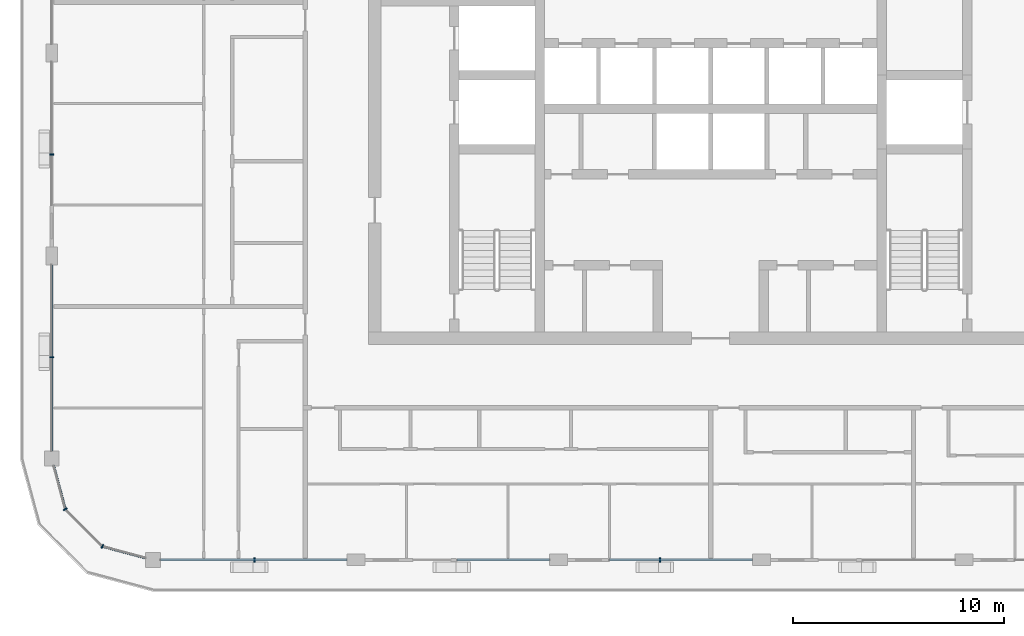
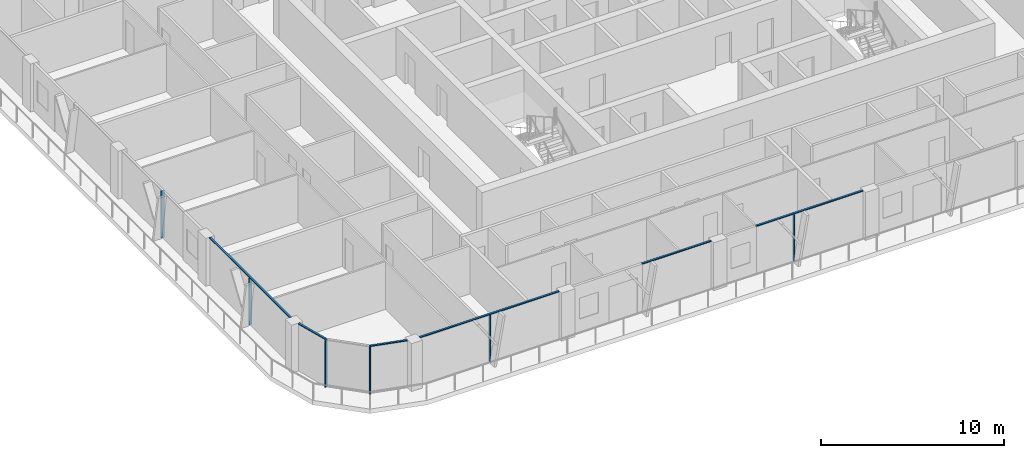
# One storey, part 2 of 21: 12 members, 6 elements without a shape of their own.
"""IFC4 building model written with IfcOpenShell, lengths in metres."""

import ifcopenshell
import ifcopenshell.guid

model = None  # the IFC model being written
_history = None  # IfcOwnerHistory: only IFC2X3 demands one
_inside = {}  # id of a spatial element -> (the spatial element, [elements in it])
_under = {}  # id of a project, library or spatial element -> (it, [spatial elements below it])
_declared = {}  # id of a project -> (the project, [libraries it declares])
_typed = {}  # id of a type object -> (the type object, [elements of that type])
_made_of = {}  # id of a material, layer set ... -> (it, [elements and type objects made of it])


def new_model(schema):
    """Start an empty IFC model of exactly this schema.

    Asked for "IFC4X3", IfcOpenShell would pick the latest addendum, in which some entities
    have other attributes; the version numbers below select the first issue.
    IFC2X3 requires an IfcOwnerHistory on every rooted entity: one is made here for all.
    """
    global model, _history
    if schema == "IFC4X3":
        model = ifcopenshell.file(schema_version=(4, 3, 0, 0))
    else:
        model = ifcopenshell.file(schema=schema)
    _inside.clear()
    _under.clear()
    _declared.clear()
    _typed.clear()
    _made_of.clear()
    _history = None
    if model.schema == "IFC2X3":
        org = make("IfcOrganization", Name="unknown")
        user = make(
            "IfcPersonAndOrganization",
            ThePerson=make("IfcPerson", FamilyName="unknown"),
            TheOrganization=org,
        )
        app = make(
            "IfcApplication",
            ApplicationDeveloper=org,
            Version="unknown",
            ApplicationFullName="unknown",
            ApplicationIdentifier="unknown",
        )
        _history = make(
            "IfcOwnerHistory",
            OwningUser=user,
            OwningApplication=app,
            ChangeAction="ADDED",
            CreationDate=0,
        )
    return model


def make(cls, **values):
    """One entity of the class cls with the attributes given. An attribute that is None is left unset."""
    return model.create_entity(
        cls, **{name: value for name, value in values.items() if value is not None}
    )


def rooted(cls, **values):
    """An entity with a GlobalId (a new one), such as an element, a storey or a relation."""
    return make(cls, GlobalId=ifcopenshell.guid.new(), OwnerHistory=_history, **values)


def si_unit(unit_type, name, prefix=None):
    """IfcSIUnit, for example si_unit("LENGTHUNIT", "METRE", prefix="MILLI")."""
    return make("IfcSIUnit", UnitType=unit_type, Prefix=prefix, Name=name)


def assignment(units):
    """IfcUnitAssignment: the units of a project."""
    return None if units is None else make("IfcUnitAssignment", Units=units)


def point(xyz):
    """IfcCartesianPoint."""
    return None if xyz is None else make("IfcCartesianPoint", Coordinates=xyz)


def direction(xyz):
    """IfcDirection."""
    return None if xyz is None else make("IfcDirection", DirectionRatios=xyz)


def frame(location, z_axis=None, x_axis=None):
    """IfcAxis2Placement3D, a coordinate frame: its origin and axes. An axis left out is left unset."""
    return make(
        "IfcAxis2Placement3D",
        Location=point(location),
        Axis=direction(z_axis),
        RefDirection=direction(x_axis),
    )


def frame_2d(location, x_axis=None):
    """IfcAxis2Placement2D, a coordinate frame in the plane: its origin and x axis."""
    return make(
        "IfcAxis2Placement2D", Location=point(location), RefDirection=direction(x_axis)
    )


def origin():
    """The frame at (0, 0, 0) with its axes left unset."""
    return frame((0.0, 0.0, 0.0))


def origin_2d():
    """The frame at (0, 0) in the plane with its x axis left unset."""
    return frame_2d((0.0, 0.0))


def place(relative_to, where):
    """IfcLocalPlacement: puts the frame where relative to a parent placement (None: the world)."""
    return make(
        "IfcLocalPlacement", PlacementRelTo=relative_to, RelativePlacement=where
    )


def context(
    kind, dimensions, precision=None, world=None, true_north=None, identifier=None
):
    """IfcGeometricRepresentationContext, for example the 3D "Model" context."""
    return make(
        "IfcGeometricRepresentationContext",
        ContextIdentifier=identifier,
        ContextType=kind,
        CoordinateSpaceDimension=dimensions,
        Precision=precision,
        WorldCoordinateSystem=world,
        TrueNorth=true_north,
    )


def subcontext(parent, identifier, kind, view, scale=None):
    """IfcGeometricRepresentationSubContext, for example "Body" below "Model"."""
    return make(
        "IfcGeometricRepresentationSubContext",
        ContextIdentifier=identifier,
        ContextType=kind,
        ParentContext=parent,
        TargetScale=scale,
        TargetView=view,
    )


def project(units=None, contexts=None):
    """IfcProject with its units and contexts."""
    return rooted(
        "IfcProject",
        Name="project",
        RepresentationContexts=contexts,
        UnitsInContext=assignment(units),
    )


def spatial(cls, under=None, at=None, **own):
    """A site, building, storey or space (cls), placed at a placement, below another one or the project."""
    s = rooted(cls, ObjectPlacement=at, **own)
    if under is not None:
        _under.setdefault(under.id(), (under, []))[1].append(s)
    return s


def profile(cls, at=None, kind="AREA", **sizes):
    """A parametric profile (cls). Its sizes go by their IFC names, for example OverallWidth=200.0."""
    return make(cls, ProfileType=kind, Position=at, **sizes)


def rectangle(**sizes):
    """IfcRectangleProfileDef."""
    return profile("IfcRectangleProfileDef", **sizes)


def extrude(swept, where, along, depth):
    """IfcExtrudedAreaSolid: the profile swept, set in the frame where, extruded along a direction by depth."""
    return make(
        "IfcExtrudedAreaSolid",
        SweptArea=swept,
        Position=where,
        ExtrudedDirection=direction(along),
        Depth=depth,
    )


def shape(context_of_items, identifier, shape_type, items):
    """IfcShapeRepresentation: the items that make up one representation, for example the "Body"."""
    return make(
        "IfcShapeRepresentation",
        ContextOfItems=context_of_items,
        RepresentationIdentifier=identifier,
        RepresentationType=shape_type,
        Items=items,
    )


def material(Name=None, Category=None):
    """IfcMaterial."""
    return make("IfcMaterial", Name=Name, Category=Category)


def layer(
    of_material, thickness, ventilated=None, Name=None, Category=None, Priority=None
):
    """IfcMaterialLayer: one layer of a wall or slab, of a material (None: an air gap)."""
    return make(
        "IfcMaterialLayer",
        Material=of_material,
        LayerThickness=thickness,
        IsVentilated=ventilated,
        Name=Name,
        Category=Category,
        Priority=Priority,
    )


def layer_set(layers, Name=None):
    """IfcMaterialLayerSet."""
    return make("IfcMaterialLayerSet", MaterialLayers=layers, LayerSetName=Name)


def material_profile(
    of_material, cross_section, Name=None, Category=None, Priority=None
):
    """IfcMaterialProfile: a cross section and its material."""
    return make(
        "IfcMaterialProfile",
        Name=Name,
        Material=of_material,
        Profile=cross_section,
        Priority=Priority,
        Category=Category,
    )


def profile_set(profiles, Name=None, composite=None):
    """IfcMaterialProfileSet."""
    return make(
        "IfcMaterialProfileSet",
        Name=Name,
        MaterialProfiles=profiles,
        CompositeProfile=composite,
    )


def made_of(thing, what):
    """Note that an element or type object is made of a material, layer set ...; save() writes the relation."""
    if what is not None:
        _made_of.setdefault(what.id(), (what, []))[1].append(thing)
    return thing


def type_object(cls, material=None, **own):
    """A type object (cls), such as IfcWallType, which elements share."""
    return made_of(rooted(cls, **own), material)


def element(
    cls,
    number,
    at=None,
    inside=None,
    cuts=None,
    type_object=None,
    material=None,
    context=None,
    identifier="Body",
    shape_type=None,
    held_by="IfcProductDefinitionShape",
    body=None,
    shapes=None,
    **own,
):
    """One element of the class cls, such as IfcWall. Its Tag is "e" and its number.

    at: its placement. inside: the storey or other place that contains it. cuts: it is an
    opening in that element (IfcRelVoidsElement). A single representation is given by context,
    identifier, shape_type and body (its items); several are given by shapes. held_by: the class
    of the entity that holds the representations. save() writes the other relations.
    """
    e = rooted(cls, Tag="e%d" % number, ObjectPlacement=at, **own)
    if body is not None:
        shapes = [shape(context, identifier, shape_type, body)]
    if shapes is not None:
        e.Representation = make(held_by, Representations=shapes)
    if inside is not None:
        _inside.setdefault(inside.id(), (inside, []))[1].append(e)
    if cuts is not None:
        rooted(
            "IfcRelVoidsElement", RelatingBuildingElement=cuts, RelatedOpeningElement=e
        )
    if type_object is not None:
        _typed.setdefault(type_object.id(), (type_object, []))[1].append(e)
    return made_of(e, material)


def aggregate(whole, parts):
    """IfcRelAggregates: a whole, such as a stair, and the parts it consists of."""
    return rooted("IfcRelAggregates", RelatingObject=whole, RelatedObjects=parts)


def save(model, path):
    """Write the relations noted so far, then the file.

    IfcRelAggregates (storeys below a building ...), IfcRelContainedInSpatialStructure (elements
    in a storey), IfcRelDefinesByType, IfcRelAssociatesMaterial and IfcRelDeclares: one each for
    every whole, place, type object, material and project.
    """
    for whole, parts in _under.values():
        aggregate(whole, parts)
    for where, things in _inside.values():
        rooted(
            "IfcRelContainedInSpatialStructure",
            RelatedElements=things,
            RelatingStructure=where,
        )
    for kind, things in _typed.values():
        rooted("IfcRelDefinesByType", RelatedObjects=things, RelatingType=kind)
    for what, things in _made_of.values():
        rooted("IfcRelAssociatesMaterial", RelatedObjects=things, RelatingMaterial=what)
    for by, libraries in _declared.values():
        rooted("IfcRelDeclares", RelatingContext=by, RelatedDefinitions=libraries)
    model.write(path)


model = new_model("IFC4")

# Units and contexts
model_context = context("Model", 3, precision=1e-05, world=origin(), true_north=direction((0.0, 1.0)))
body_context = subcontext(model_context, "Body", "Model", "MODEL_VIEW")
ifc_project = project(units=[si_unit("LENGTHUNIT", "METRE"), si_unit("AREAUNIT", "SQUARE_METRE"), si_unit("VOLUMEUNIT", "CUBIC_METRE"), si_unit("PLANEANGLEUNIT", "RADIAN"), si_unit("MASSUNIT", "GRAM", prefix="KILO")], contexts=[model_context])

# Site, building, storey
site_placement = place(None, origin())
site = spatial("IfcSite", under=ifc_project, at=site_placement, CompositionType="ELEMENT")
building_placement = place(site_placement, origin())
building = spatial("IfcBuilding", under=site, at=building_placement, Name="Madar Terraces", CompositionType="ELEMENT")
storey_placement = place(building_placement, frame((0.0, 0.0, 245.699951171875)))
storey = spatial("IfcBuildingStorey", under=building, at=storey_placement, Name="L64", CompositionType="ELEMENT", Elevation=245.699951171875)

# Curtain wall, member
ifc_material_1 = material(Name="Glass, ceramic frit dark grey, with black aluminium frame", Category="aluminium")
ifc_layer = layer(ifc_material_1, 0.199951171875)
ifc_layer_set = layer_set([ifc_layer], Name="Facade curtain wall, fritted glass")
curtain_wall_type = type_object("IfcCurtainWallType", Name="Facade curtain wall, fritted glass", PredefinedType="NOTDEFINED", material=ifc_layer_set)
curtain_wall_1_placement = place(storey_placement, origin())
curtain_wall_1 = element("IfcCurtainWall", 1, at=curtain_wall_1_placement, inside=storey, type_object=curtain_wall_type, Name="Outer skin curtain wall south bay 1", PredefinedType="NOTDEFINED")
ifc_material_2 = material(Name="Aluminium, black anodised", Category="aluminium")
ifc_material_profile_1 = material_profile(ifc_material_2, rectangle(XDim=0.199951171875, YDim=0.06005859375, at=origin_2d()), Name="Facade mullion 60x200")
ifc_profile_set_1 = profile_set([ifc_material_profile_1], Name="Aluminium, black anodised")
member_type_1 = type_object("IfcMemberType", Name="Facade mullion 60x200", PredefinedType="MULLION", material=ifc_profile_set_1)
member_1_placement = place(storey_placement, frame((9.60009765625, 4.800048828125, 0.0), z_axis=(0.0, 0.0, 1.0), x_axis=(0.0, 1.0, 0.0)))
member_1 = element("IfcMember", 2, at=member_1_placement, type_object=member_type_1, Name="Mullion 1", PredefinedType="MULLION", context=body_context, shape_type="SweptSolid", body=[
    extrude(rectangle(XDim=0.199951171875, YDim=0.06005859375, at=origin_2d()), origin(), (0.0, 0.0, 1.0), 3.14013671875),
])

curtain_wall_2_placement = place(storey_placement, origin())
curtain_wall_2 = element("IfcCurtainWall", 3, at=curtain_wall_2_placement, inside=storey, type_object=curtain_wall_type, Name="Outer skin curtain wall south bay 3", PredefinedType="NOTDEFINED")
member_2_placement = place(storey_placement, frame((28.800048828125, 4.800048828125, 0.0), z_axis=(0.0, 0.0, 1.0), x_axis=(0.0, 1.0, 0.0)))
member_2 = element("IfcMember", 4, at=member_2_placement, type_object=member_type_1, Name="Mullion 1", PredefinedType="MULLION", context=body_context, shape_type="SweptSolid", body=[
    extrude(rectangle(XDim=0.199951171875, YDim=0.06005859375, at=origin_2d()), origin(), (0.0, 0.0, 1.0), 3.14013671875),
])

curtain_wall_3_placement = place(storey_placement, origin())
curtain_wall_3 = element("IfcCurtainWall", 5, at=curtain_wall_3_placement, inside=storey, type_object=curtain_wall_type, Name="Outer skin curtain wall west bay 3", PredefinedType="NOTDEFINED")
member_3_placement = place(storey_placement, frame((0.0, 24.0, 0.0), z_axis=(0.0, 0.0, 1.0), x_axis=(1.0, 0.0, 0.0)))
member_3 = element("IfcMember", 6, at=member_3_placement, type_object=member_type_1, Name="Mullion 1", PredefinedType="MULLION", context=body_context, shape_type="SweptSolid", body=[
    extrude(rectangle(XDim=0.199951171875, YDim=0.06005859375, at=origin_2d()), origin(), (0.0, 0.0, 1.0), 3.14013671875),
])
aggregate(curtain_wall_3, [member_3])

curtain_wall_4_placement = place(storey_placement, origin())
curtain_wall_4 = element("IfcCurtainWall", 7, at=curtain_wall_4_placement, inside=storey, type_object=curtain_wall_type, Name="Outer skin curtain wall west bay 4", PredefinedType="NOTDEFINED")
member_4_placement = place(storey_placement, frame((0.0, 14.39990234375, 0.0), z_axis=(0.0, 0.0, 1.0), x_axis=(1.0, 0.0, 0.0)))
member_4 = element("IfcMember", 8, at=member_4_placement, type_object=member_type_1, Name="Mullion 1", PredefinedType="MULLION", context=body_context, shape_type="SweptSolid", body=[
    extrude(rectangle(XDim=0.199951171875, YDim=0.06005859375, at=origin_2d()), origin(), (0.0, 0.0, 1.0), 3.14013671875),
])

# Curtain wall, members
curtain_wall_5_placement = place(storey_placement, origin())
curtain_wall_5 = element("IfcCurtainWall", 9, at=curtain_wall_5_placement, inside=storey, type_object=curtain_wall_type, Name="Outer skin curtain wall south-west corner", PredefinedType="NOTDEFINED")
member_5_placement = place(storey_placement, frame((0.64306640625, 7.199951171875, 0.0), z_axis=(0.0, 0.0, 1.0), x_axis=(0.866025409797, 0.499999989586, 0.0)))
member_5 = element("IfcMember", 10, at=member_5_placement, type_object=member_type_1, Name="Mullion 1", PredefinedType="MULLION", context=body_context, shape_type="SweptSolid", body=[
    extrude(rectangle(XDim=0.199951171875, YDim=0.06005859375, at=origin_2d()), origin(), (0.0, 0.0, 1.0), 3.14013671875),
])
member_6_placement = place(storey_placement, frame((2.39990234375, 5.443115234375, 0.0), z_axis=(0.0, 0.0, 1.0), x_axis=(0.499999989586, 0.866025409797, 0.0)))
member_6 = element("IfcMember", 11, at=member_6_placement, type_object=member_type_1, Name="Mullion 2", PredefinedType="MULLION", context=body_context, shape_type="SweptSolid", body=[
    extrude(rectangle(XDim=0.199951171875, YDim=0.06005859375, at=origin_2d()), origin(), (0.0, 0.0, 1.0), 3.14013671875),
])

# Member
ifc_material_3 = material(Name="Aluminium, black anodised", Category="aluminium")
ifc_material_profile_2 = material_profile(ifc_material_3, rectangle(XDim=0.1201171875, YDim=0.06005859375, at=origin_2d()), Name="Facade transom 60x120")
ifc_profile_set_2 = profile_set([ifc_material_profile_2], Name="Aluminium, black anodised")
member_type_2 = type_object("IfcMemberType", Name="Facade transom 60x120", PredefinedType="USERDEFINED", material=ifc_profile_set_2)
member_7_placement = place(storey_placement, frame((5.14990234375, 4.800048828125, 3.170166015625), z_axis=(1.0, 0.0, 0.0), x_axis=(0.0, 1.0, 0.0)))
member_7 = element("IfcMember", 12, at=member_7_placement, type_object=member_type_2, Name="Transom 1", ObjectType="TRANSOM", PredefinedType="USERDEFINED", context=body_context, shape_type="SweptSolid", body=[
    extrude(rectangle(XDim=0.1201171875, YDim=0.06005859375, at=origin_2d()), origin(), (0.0, 0.0, 1.0), 8.8251953125),
])

aggregate(curtain_wall_1, [member_1, member_7])

# Curtain wall, member
curtain_wall_6_placement = place(storey_placement, origin())
curtain_wall_6 = element("IfcCurtainWall", 13, at=curtain_wall_6_placement, inside=storey, type_object=curtain_wall_type, Name="Outer skin curtain wall south bay 2", PredefinedType="NOTDEFINED")
member_8_placement = place(storey_placement, frame((19.199951171875, 4.800048828125, 3.170166015625), z_axis=(1.0, 0.0, 0.0), x_axis=(0.0, 1.0, 0.0)))
member_8 = element("IfcMember", 14, at=member_8_placement, type_object=member_type_2, Name="Transom 1", ObjectType="TRANSOM", PredefinedType="USERDEFINED", context=body_context, shape_type="SweptSolid", body=[
    extrude(rectangle(XDim=0.1201171875, YDim=0.06005859375, at=origin_2d()), origin(), (0.0, 0.0, 1.0), 4.375),
])
aggregate(curtain_wall_6, [member_8])

# Member
member_9_placement = place(storey_placement, frame((26.39990234375, 4.800048828125, 3.170166015625), z_axis=(1.0, 0.0, 0.0), x_axis=(0.0, 1.0, 0.0)))
member_9 = element("IfcMember", 15, at=member_9_placement, type_object=member_type_2, Name="Transom 1", ObjectType="TRANSOM", PredefinedType="USERDEFINED", context=body_context, shape_type="SweptSolid", body=[
    extrude(rectangle(XDim=0.1201171875, YDim=0.06005859375, at=origin_2d()), origin(), (0.0, 0.0, 1.0), 6.775146484375),
])

aggregate(curtain_wall_2, [member_2, member_9])

member_10_placement = place(storey_placement, frame((0.0, 18.77490234375, 3.170166015625), z_axis=(0.0, -1.0, 0.0), x_axis=(1.0, 0.0, 0.0)))
member_10 = element("IfcMember", 16, at=member_10_placement, type_object=member_type_2, Name="Transom 1", ObjectType="TRANSOM", PredefinedType="USERDEFINED", context=body_context, shape_type="SweptSolid", body=[
    extrude(rectangle(XDim=0.1201171875, YDim=0.06005859375, at=origin_2d()), origin(), (0.0, 0.0, 1.0), 8.824951171875),
])

aggregate(curtain_wall_4, [member_4, member_10])

member_11_placement = place(storey_placement, frame((0.09375, 9.25, 3.170166015625), z_axis=(0.258809963731, -0.965928259589, 0.0), x_axis=(0.965928259589, 0.258809963731, 0.0)))
member_11 = element("IfcMember", 17, at=member_11_placement, type_object=member_type_2, Name="Transom 1", ObjectType="TRANSOM", PredefinedType="USERDEFINED", context=body_context, shape_type="SweptSolid", body=[
    extrude(rectangle(XDim=0.1201171875, YDim=0.06005859375, at=origin_2d()), origin(), (0.0, 0.0, 1.0), 2.09228515625),
])

member_12_placement = place(storey_placement, frame((2.428955078125, 5.435302734375, 3.170166015625), z_axis=(0.965928259589, -0.258809963731, 0.0), x_axis=(0.258809963731, 0.965928259589, 0.0)))
member_12 = element("IfcMember", 18, at=member_12_placement, type_object=member_type_2, Name="Transom 3", ObjectType="TRANSOM", PredefinedType="USERDEFINED", context=body_context, shape_type="SweptSolid", body=[
    extrude(rectangle(XDim=0.1201171875, YDim=0.06005859375, at=origin_2d()), origin(), (0.0, 0.0, 1.0), 2.09228515625),
])

aggregate(curtain_wall_5, [member_5, member_11, member_6, member_12])

save(model, "model.ifc")
